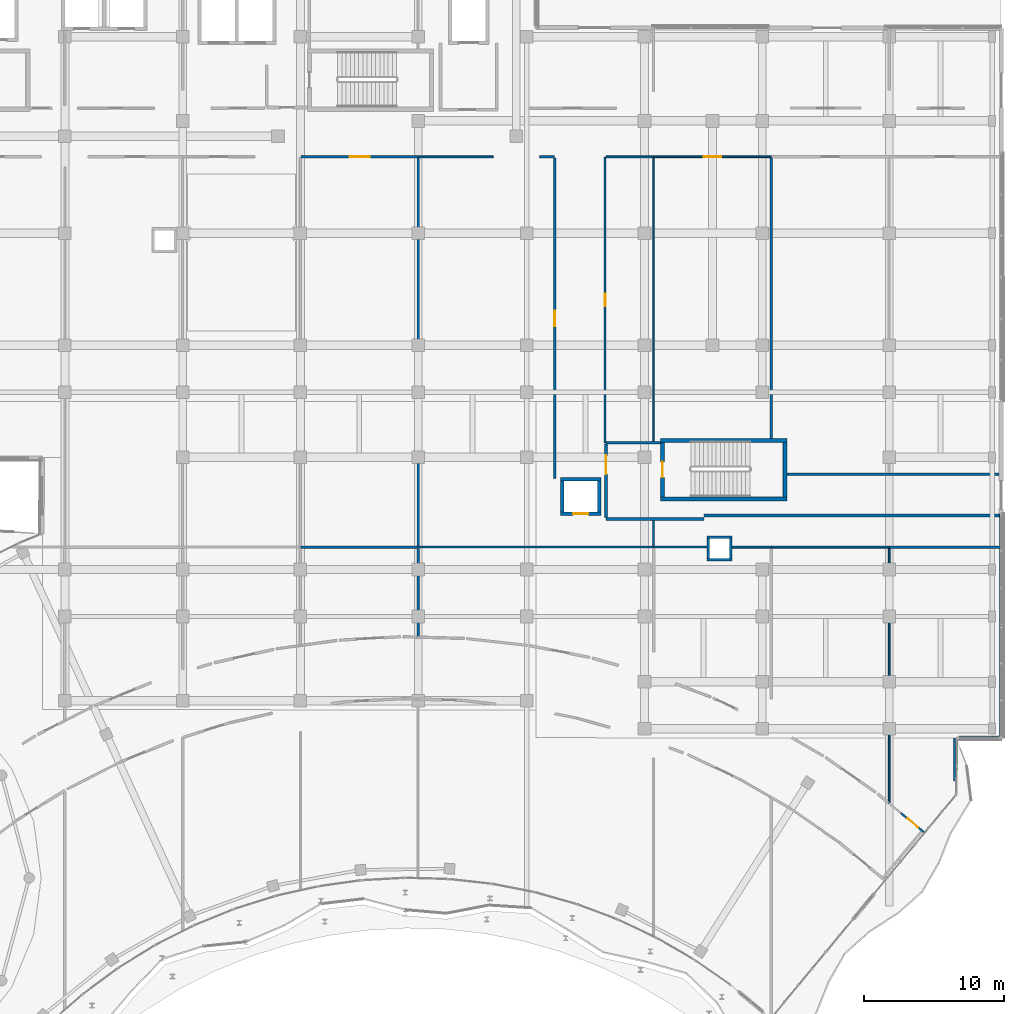
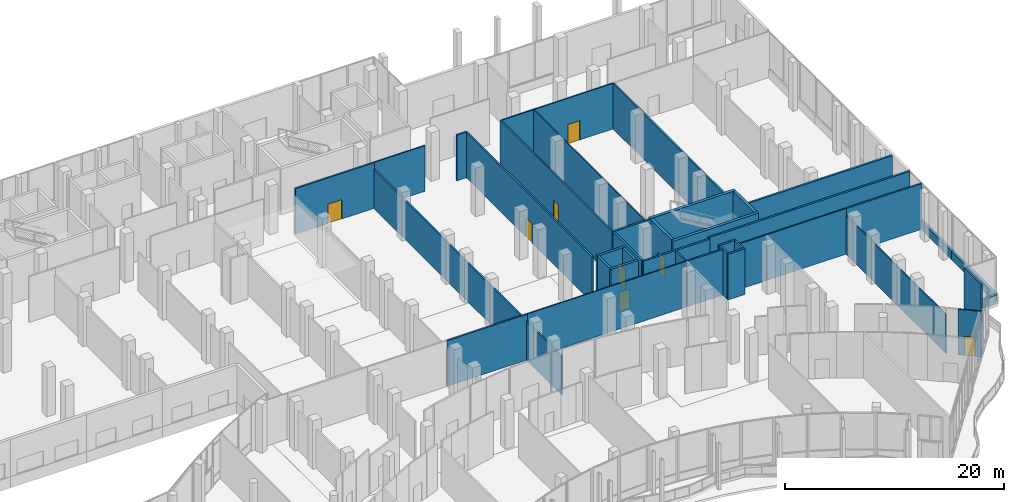
# One storey, part 144 of 158: 41 walls, 8 doors, 8 openings.
"""IFC4 building model written with IfcOpenShell, lengths in metres."""

from ifc_helpers import new_model, si_unit, direction, frame, frame_2d, origin, place, context, subcontext, project, spatial, rectangle, extrude, material, layer, layer_set, type_object, element, fill, save


model = new_model("IFC4")

# Units and contexts
model_context = context("Model", 3, precision=1e-05, world=origin(), true_north=direction((0.0, 1.0)))
body_context = subcontext(model_context, "Body", "Model", "MODEL_VIEW")
ifc_project = project(units=[si_unit("LENGTHUNIT", "METRE"), si_unit("AREAUNIT", "SQUARE_METRE"), si_unit("VOLUMEUNIT", "CUBIC_METRE"), si_unit("PLANEANGLEUNIT", "RADIAN"), si_unit("MASSUNIT", "GRAM", prefix="KILO")], contexts=[model_context])

# Site, building, storey
site_placement = place(None, origin())
site = spatial("IfcSite", under=ifc_project, at=site_placement, CompositionType="ELEMENT")
building_placement = place(site_placement, origin())
building = spatial("IfcBuilding", under=site, at=building_placement, Name="Selatvlak General Hospital", CompositionType="ELEMENT")
storey_placement = place(building_placement, origin())
storey = spatial("IfcBuildingStorey", under=building, at=storey_placement, Name="L00", CompositionType="ELEMENT", Elevation=0.0)

# Walls
ifc_material_1 = material(Name="Precast concrete C40/50 - white Bauhaus spandrel", Category="concrete")
ifc_layer_1 = layer(ifc_material_1, 0.280029296875, Name="Precast concrete C40/50 - white Bauhaus spandrel", Category="concrete")
ifc_layer_set_1 = layer_set([ifc_layer_1], Name="Precast concrete C40/50 - white Bauhaus spandrel")
wall_type_1 = type_object("IfcWallType", Name="WALL-EW-02", PredefinedType="SOLIDWALL", material=ifc_layer_set_1)
wall_1_placement = place(storey_placement, frame((182.0, 79.9990234375, 0.0), z_axis=(0.0, 0.0, 1.0), x_axis=(0.0, -1.0, 0.0)))
element("IfcWall", 1, at=wall_1_placement, inside=storey, type_object=wall_type_1, Name="L00 Bauhaus spandrel sill wall 0174", PredefinedType="SOLIDWALL", context=body_context, shape_type="SweptSolid", body=[
    extrude(rectangle(XDim=7.99609375, YDim=0.280029296875, at=frame_2d((3.998046875, 0.0))), origin(), (0.0, 0.0, 1.0), 0.93994140625),
])
wall_2_placement = place(storey_placement, frame((182.0, 71.9990234375, 0.0), z_axis=(0.0, 0.0, 1.0), x_axis=(0.0, -1.0, 0.0)))
element("IfcWall", 2, at=wall_2_placement, inside=storey, type_object=wall_type_1, Name="L00 Bauhaus spandrel sill wall 0175", PredefinedType="SOLIDWALL", context=body_context, shape_type="SweptSolid", body=[
    extrude(rectangle(XDim=7.85791015625, YDim=0.280029296875, at=frame_2d((3.928955078125, 0.0))), origin(), (0.0, 0.0, 1.0), 0.93994140625),
])
wall_3_placement = place(storey_placement, frame((181.860107421875, 64.0009765625, 0.0), z_axis=(0.0, 0.0, 1.0), x_axis=(-0.999999941708, -0.000341442575, 0.0)))
element("IfcWall", 3, at=wall_3_placement, inside=storey, type_object=wall_type_1, Name="L00 Bauhaus spandrel sill wall 0176", PredefinedType="SOLIDWALL", context=body_context, shape_type="SweptSolid", body=[
    extrude(rectangle(XDim=2.860107421875, YDim=0.280029296875, at=frame_2d((1.43017578125, 0.0))), origin(), (0.0, 0.0, 1.0), 0.93994140625),
])
ifc_material_2 = material(Name="Concrete C40/50", Category="concrete")
ifc_layer_2 = layer(ifc_material_2, 0.199951171875, Name="Concrete C40/50", Category="concrete")
ifc_layer_set_2 = layer_set([ifc_layer_2], Name="Concrete C40/50")
wall_type_2 = type_object("IfcWallType", Name="WALL-IW-02", PredefinedType="SOLIDWALL", material=ifc_layer_set_2)
wall_4_placement = place(storey_placement, frame((161.0, 76.699951171875, 0.0), z_axis=(0.0, 0.0, 1.0), x_axis=(1.0, 0.0, 0.0)))
element("IfcWall", 4, at=wall_4_placement, inside=storey, type_object=wall_type_2, Name="Service riser 4 shaft wall L00 S", PredefinedType="SOLIDWALL", context=body_context, shape_type="SweptSolid", body=[
    extrude(rectangle(XDim=1.800048828125, YDim=0.199951171875, at=frame_2d((0.89990234375, 0.0))), origin(), (0.0, 0.0, 1.0), 5.080078125),
])
wall_5_placement = place(storey_placement, frame((162.699951171875, 76.800048828125, 0.0), z_axis=(0.0, 0.0, 1.0), x_axis=(0.0, 1.0, 0.0)))
element("IfcWall", 5, at=wall_5_placement, inside=storey, type_object=wall_type_2, Name="Service riser 4 shaft wall L00 E", PredefinedType="SOLIDWALL", context=body_context, shape_type="SweptSolid", body=[
    extrude(rectangle(XDim=1.39990234375, YDim=0.199951171875, at=frame_2d((0.699951171875, 0.0))), origin(), (0.0, 0.0, 1.0), 5.080078125),
])
wall_6_placement = place(storey_placement, frame((162.800048828125, 78.300048828125, 0.0), z_axis=(0.0, 0.0, 1.0), x_axis=(-1.0, 0.0, 0.0)))
element("IfcWall", 6, at=wall_6_placement, inside=storey, type_object=wall_type_2, Name="Service riser 4 shaft wall L00 N", PredefinedType="SOLIDWALL", context=body_context, shape_type="SweptSolid", body=[
    extrude(rectangle(XDim=1.800048828125, YDim=0.199951171875, at=frame_2d((0.89990234375, 0.0))), origin(), (0.0, 0.0, 1.0), 5.080078125),
])
wall_7_placement = place(storey_placement, frame((161.10009765625, 78.199951171875, 0.0), z_axis=(0.0, 0.0, 1.0), x_axis=(0.0, -1.0, 0.0)))
element("IfcWall", 7, at=wall_7_placement, inside=storey, type_object=wall_type_2, Name="Service riser 4 shaft wall L00 W", PredefinedType="SOLIDWALL", context=body_context, shape_type="SweptSolid", body=[
    extrude(rectangle(XDim=1.39990234375, YDim=0.199951171875, at=frame_2d((0.699951171875, 0.0))), origin(), (0.0, 0.0, 1.0), 5.080078125),
])
wall_8_placement = place(storey_placement, frame((153.800048828125, 85.0400390625, 0.0), z_axis=(0.0, 0.0, 1.0), x_axis=(1.0, 0.0, 0.0)))
element("IfcWall", 8, at=wall_8_placement, inside=storey, type_object=wall_type_2, Name="L00 clinical partition PT-L00-0376", PredefinedType="SOLIDWALL", context=body_context, shape_type="SweptSolid", body=[
    extrude(rectangle(XDim=3.889892578125, YDim=0.199951171875, at=frame_2d((1.94482421875, 0.0))), origin(), (0.0, 0.0, 1.0), 5.080078125),
])
wall_9_placement = place(storey_placement, frame((166.70703125, 82.800048828125, 0.0), z_axis=(0.0, 0.0, 1.0), x_axis=(1.0, 0.0, 0.0)))
element("IfcWall", 9, at=wall_9_placement, inside=storey, type_object=wall_type_2, Name="L00 clinical partition PT-L00-0377", PredefinedType="SOLIDWALL", context=body_context, shape_type="SweptSolid", body=[
    extrude(rectangle(XDim=15.14599609375, YDim=0.199951171875, at=frame_2d((7.572998046875, 0.0))), origin(), (0.0, 0.0, 1.0), 5.080078125),
])
wall_10_placement = place(storey_placement, frame((181.9580078125, 79.85009765625, 0.0), z_axis=(0.0, 0.0, 1.0), x_axis=(-1.0, 0.0, 0.0)))
element("IfcWall", 10, at=wall_10_placement, inside=storey, type_object=wall_type_2, Name="L00 clinical partition PT-L00-0378", PredefinedType="SOLIDWALL", context=body_context, shape_type="SweptSolid", body=[
    extrude(rectangle(XDim=21.157958984375, YDim=0.199951171875, at=frame_2d((10.5791015625, 0.0))), origin(), (0.0, 0.0, 1.0), 5.080078125),
])
wall_11_placement = place(storey_placement, frame((160.800048828125, 79.60009765625, 0.0), z_axis=(0.0, 0.0, 1.0), x_axis=(-1.0, 0.0, 0.0)))
element("IfcWall", 11, at=wall_11_placement, inside=storey, type_object=wall_type_2, Name="L00 clinical partition PT-L00-0379", PredefinedType="SOLIDWALL", context=body_context, shape_type="SweptSolid", body=[
    extrude(rectangle(XDim=7.0, YDim=0.199951171875, at=frame_2d((3.5, 0.0))), origin(), (0.0, 0.0, 1.0), 5.080078125),
])

# Wall, opening, door
wall_12_placement = place(storey_placement, frame((153.800048828125, 79.696044921875, 0.0), z_axis=(0.0, 0.0, 1.0), x_axis=(0.0, 1.0, 0.0)))
wall_12 = element("IfcWall", 12, at=wall_12_placement, inside=storey, type_object=wall_type_2, Name="L00 clinical partition PT-L00-0380", PredefinedType="SOLIDWALL", context=body_context, shape_type="SweptSolid", body=[
    extrude(rectangle(XDim=5.248046875, YDim=0.199951171875, at=frame_2d((2.6240234375, 0.0))), origin(), (0.0, 0.0, 1.0), 5.080078125),
])
opening_1_placement = place(wall_12_placement, frame((3.10400390625, 0.0, 0.0)))
opening_1 = element("IfcOpeningElement", 13, at=opening_1_placement, cuts=wall_12, Name="Opening D-10", PredefinedType="OPENING", context=body_context, shape_type="SweptSolid", body=[
    extrude(rectangle(XDim=1.35009765625, YDim=2.14990234375, at=frame_2d((0.675048828125, 1.074951171875))), frame((0.0, 0.10986328125, 0.0), z_axis=(0.0, -1.0, 0.0), x_axis=(1.0, 0.0, 0.0)), (0.0, 0.0, 1.0), 0.219970703125),
])
ifc_material_3 = material(Name="Single patient bed door")
door_type_1 = type_object("IfcDoorType", Name="DOOR-D-10", OperationType="NOTDEFINED", PredefinedType="DOOR", material=ifc_material_3)
door_1_placement = place(opening_1_placement, origin())
door_1 = element("IfcDoor", 14, at=door_1_placement, inside=storey, type_object=door_type_1, Name="L00 Protected Exit Passageway ST-06 door", OperationType="SINGLE_SWING_LEFT", OverallHeight=2.14990234375, OverallWidth=1.35009765625, PredefinedType="DOOR", context=body_context, shape_type="SweptSolid", body=[
    extrude(rectangle(XDim=1.35009765625, YDim=2.14990234375, at=frame_2d((0.675048828125, 1.074951171875))), frame((0.0, 0.02490234375, 0.0), z_axis=(0.0, -1.0, 0.0), x_axis=(1.0, 0.0, 0.0)), (0.0, 0.0, 1.0), 0.050048828125),
])
fill(opening_1, door_1)

# Walls
ifc_material_4 = material(Name="Acoustic gypsum stud partition")
ifc_layer_3 = layer(ifc_material_4, 0.179931640625, Name="Acoustic gypsum stud partition")
ifc_layer_set_3 = layer_set([ifc_layer_3], Name="Acoustic gypsum stud partition")
wall_type_3 = type_object("IfcWallType", Name="WALL-PT-01", PredefinedType="PARTITIONING", material=ifc_layer_set_3)
wall_13_placement = place(storey_placement, frame((132.0, 77.60009765625, 0.0), z_axis=(0.0, 0.0, 1.0), x_axis=(1.0, 0.0, 0.0)))
element("IfcWall", 15, at=wall_13_placement, inside=storey, type_object=wall_type_3, Name="L00 clinical partition PT-L00-0567", PredefinedType="PARTITIONING", context=body_context, shape_type="SweptSolid", body=[
    extrude(rectangle(XDim=8.39990234375, YDim=0.179931640625, at=frame_2d((4.199951171875, 0.0))), origin(), (0.0, 0.0, 1.0), 5.080078125),
])
wall_14_placement = place(storey_placement, frame((174.0, 77.60009765625, 0.0), z_axis=(0.0, 0.0, 1.0), x_axis=(1.0, 0.0, 0.0)))
element("IfcWall", 16, at=wall_14_placement, inside=storey, type_object=wall_type_3, Name="L00 clinical partition PT-L00-0605", PredefinedType="PARTITIONING", context=body_context, shape_type="SweptSolid", body=[
    extrude(rectangle(XDim=7.9580078125, YDim=0.179931640625, at=frame_2d((3.97900390625, 0.0))), origin(), (0.0, 0.0, 1.0), 5.080078125),
])

# Wall, opening, door
wall_15_placement = place(storey_placement, frame((132.055908203125, 105.43994140625, 0.0), z_axis=(0.0, 0.0, 1.0), x_axis=(1.0, 0.0, 0.0)))
wall_15 = element("IfcWall", 17, at=wall_15_placement, inside=storey, type_object=wall_type_3, Name="L00 clinical partition PT-L00-0655", PredefinedType="PARTITIONING", context=body_context, shape_type="SweptSolid", body=[
    extrude(rectangle(XDim=8.343994140625, YDim=0.179931640625, at=frame_2d((4.171875, 0.0))), origin(), (0.0, 0.0, 1.0), 5.080078125),
])
opening_2_placement = place(wall_15_placement, frame((3.447021484375, 0.0, 0.0)))
opening_2 = element("IfcOpeningElement", 18, at=opening_2_placement, cuts=wall_15, Name="Opening D-12", PredefinedType="OPENING", context=body_context, shape_type="SweptSolid", body=[
    extrude(rectangle(XDim=1.449951171875, YDim=2.14990234375, at=frame_2d((0.72509765625, 1.074951171875))), frame((0.0, 0.099853515625, 0.0), z_axis=(0.0, -1.0, 0.0), x_axis=(1.0, 0.0, 0.0)), (0.0, 0.0, 1.0), 0.199951171875),
])
ifc_material_5 = material(Name="Isolation anteroom door")
door_type_2 = type_object("IfcDoorType", Name="DOOR-D-12", OperationType="NOTDEFINED", PredefinedType="DOOR", material=ifc_material_5)
door_2_placement = place(opening_2_placement, origin())
door_2 = element("IfcDoor", 19, at=door_2_placement, inside=storey, type_object=door_type_2, Name="L00 Patient Welfare Office 56 door", OperationType="SINGLE_SWING_LEFT", OverallHeight=2.14990234375, OverallWidth=1.449951171875, PredefinedType="DOOR", context=body_context, shape_type="SweptSolid", body=[
    extrude(rectangle(XDim=1.449951171875, YDim=2.14990234375, at=frame_2d((0.72509765625, 1.074951171875))), frame((0.0, 0.02490234375, 0.0), z_axis=(0.0, -1.0, 0.0), x_axis=(1.0, 0.0, 0.0)), (0.0, 0.0, 1.0), 0.050048828125),
])
fill(opening_2, door_2)

# Walls
wall_16_placement = place(storey_placement, frame((149.055908203125, 105.43994140625, 0.0), z_axis=(0.0, 0.0, 1.0), x_axis=(1.0, 0.0, 0.0)))
element("IfcWall", 20, at=wall_16_placement, inside=storey, type_object=wall_type_3, Name="L00 clinical partition PT-L00-0660", PredefinedType="PARTITIONING", context=body_context, shape_type="SweptSolid", body=[
    extrude(rectangle(XDim=1.083984375, YDim=0.179931640625, at=frame_2d((0.5419921875, 0.0))), origin(), (0.0, 0.0, 1.0), 5.080078125),
])
wall_17_placement = place(storey_placement, frame((165.60009765625, 105.384033203125, 0.0), z_axis=(0.0, 0.0, 1.0), x_axis=(0.0, -1.0, 0.0)))
element("IfcWall", 21, at=wall_17_placement, inside=storey, type_object=wall_type_3, Name="L00 clinical partition PT-L00-0665", PredefinedType="PARTITIONING", context=body_context, shape_type="SweptSolid", body=[
    extrude(rectangle(XDim=20.037109375, YDim=0.179931640625, at=frame_2d((10.0185546875, 0.0))), origin(), (0.0, 0.0, 1.0), 5.080078125),
])
ifc_layer_4 = layer(ifc_material_4, 0.1650390625, Name="Acoustic gypsum stud partition")
ifc_layer_set_4 = layer_set([ifc_layer_4], Name="Acoustic gypsum stud partition")
wall_type_4 = type_object("IfcWallType", Name="WALL-PT-02", PredefinedType="PARTITIONING", material=ifc_layer_set_4)
wall_18_placement = place(storey_placement, frame((140.39990234375, 77.513916015625, 0.0), z_axis=(0.0, 0.0, 1.0), x_axis=(0.0, -1.0, 0.0)))
element("IfcWall", 22, at=wall_18_placement, inside=storey, type_object=wall_type_4, Name="L00 clinical partition PT-L00-0568", PredefinedType="PARTITIONING", context=body_context, shape_type="SweptSolid", body=[
    extrude(rectangle(XDim=6.33984375, YDim=0.1650390625, at=frame_2d((3.169921875, 0.0))), origin(), (0.0, 0.0, 1.0), 4.330078125),
])
wall_19_placement = place(storey_placement, frame((157.199951171875, 77.60009765625, 0.0), z_axis=(0.0, 0.0, 1.0), x_axis=(1.0, 0.0, 0.0)))
element("IfcWall", 23, at=wall_19_placement, inside=storey, type_object=wall_type_4, Name="L00 clinical partition PT-L00-0589", PredefinedType="PARTITIONING", context=body_context, shape_type="SweptSolid", body=[
    extrude(rectangle(XDim=3.802978515625, YDim=0.1650390625, at=frame_2d((1.9013671875, 0.0))), origin(), (0.0, 0.0, 1.0), 5.080078125),
])
wall_20_placement = place(storey_placement, frame((178.659912109375, 63.97509765625, 0.0), z_axis=(0.0, 0.0, 1.0), x_axis=(0.0, -1.0, 0.0)))
element("IfcWall", 24, at=wall_20_placement, inside=storey, type_object=wall_type_4, Name="L00 clinical partition PT-L00-0601", PredefinedType="PARTITIONING", context=body_context, shape_type="SweptSolid", body=[
    extrude(rectangle(XDim=3.071044921875, YDim=0.1650390625, at=frame_2d((1.53564453125, 0.0))), origin(), (0.0, 0.0, 1.0), 5.080078125),
])
wall_21_placement = place(storey_placement, frame((140.39990234375, 105.35400390625, 0.0), z_axis=(0.0, 0.0, 1.0), x_axis=(0.0, -1.0, 0.0)))
element("IfcWall", 25, at=wall_21_placement, inside=storey, type_object=wall_type_4, Name="L00 clinical partition PT-L00-0656", PredefinedType="PARTITIONING", context=body_context, shape_type="SweptSolid", body=[
    extrude(rectangle(XDim=27.66796875, YDim=0.1650390625, at=frame_2d((13.833984375, 0.0))), origin(), (0.0, 0.0, 1.0), 4.330078125),
])

# Wall, opening, door
wall_22_placement = place(storey_placement, frame((150.139892578125, 105.35400390625, 0.0), z_axis=(0.0, 0.0, 1.0), x_axis=(0.0, -1.0, 0.0)))
wall_22 = element("IfcWall", 26, at=wall_22_placement, inside=storey, type_object=wall_type_4, Name="L00 clinical partition PT-L00-0661", PredefinedType="PARTITIONING", context=body_context, shape_type="SweptSolid", body=[
    extrude(rectangle(XDim=22.8740234375, YDim=0.1650390625, at=frame_2d((11.43701171875, 0.0))), origin(), (0.0, 0.0, 1.0), 5.080078125),
])
opening_3_placement = place(wall_22_placement, frame((10.886962890625, 0.0, 0.0)))
opening_3 = element("IfcOpeningElement", 27, at=opening_3_placement, cuts=wall_22, Name="Opening D-22", PredefinedType="OPENING", context=body_context, shape_type="SweptSolid", body=[
    extrude(rectangle(XDim=1.10009765625, YDim=2.14990234375, at=frame_2d((0.550048828125, 1.074951171875))), frame((0.0, 0.092529296875, 0.0), z_axis=(0.0, -1.0, 0.0), x_axis=(1.0, 0.0, 0.0)), (0.0, 0.0, 1.0), 0.18505859375),
])
ifc_material_6 = material(Name="Pharmacy security fire door")
door_type_3 = type_object("IfcDoorType", Name="DOOR-D-22", OperationType="NOTDEFINED", PredefinedType="DOOR", material=ifc_material_6)
door_3_placement = place(opening_3_placement, origin())
door_3 = element("IfcDoor", 28, at=door_3_placement, inside=storey, type_object=door_type_3, Name="L00 Public Dining Cafeteria 58 door", OperationType="SINGLE_SWING_LEFT", OverallHeight=2.14990234375, OverallWidth=1.10009765625, PredefinedType="DOOR", context=body_context, shape_type="SweptSolid", body=[
    extrude(rectangle(XDim=1.10009765625, YDim=2.14990234375, at=frame_2d((0.550048828125, 1.074951171875))), frame((0.0, 0.02490234375, 0.0), z_axis=(0.0, -1.0, 0.0), x_axis=(1.0, 0.0, 0.0)), (0.0, 0.0, 1.0), 0.050048828125),
])
fill(opening_3, door_3)

ifc_layer_5 = layer(ifc_material_4, 0.14990234375, Name="Acoustic gypsum stud partition")
ifc_layer_set_5 = layer_set([ifc_layer_5], Name="Acoustic gypsum stud partition")
wall_type_5 = type_object("IfcWallType", Name="WALL-PT-03", PredefinedType="PARTITIONING", material=ifc_layer_set_5)
wall_23_placement = place(storey_placement, frame((153.739990234375, 85.0400390625, 0.0), z_axis=(0.0, 0.0, 1.0), x_axis=(0.0, 1.0, 0.0)))
wall_23 = element("IfcWall", 29, at=wall_23_placement, inside=storey, type_object=wall_type_5, Name="L00 clinical partition PT-L00-0657", PredefinedType="PARTITIONING", context=body_context, shape_type="SweptSolid", body=[
    extrude(rectangle(XDim=20.39990234375, YDim=0.14990234375, at=frame_2d((10.199951171875, 0.0))), origin(), (0.0, 0.0, 1.0), 5.080078125),
])
opening_4_placement = place(wall_23_placement, frame((9.75, 0.0, 0.0)))
opening_4 = element("IfcOpeningElement", 30, at=opening_4_placement, cuts=wall_23, Name="Opening D-01", PredefinedType="OPENING", context=body_context, shape_type="SweptSolid", body=[
    extrude(rectangle(XDim=0.89990234375, YDim=2.10009765625, at=frame_2d((0.449951171875, 1.050048828125))), frame((0.0, 0.0849609375, 0.0), z_axis=(0.0, -1.0, 0.0), x_axis=(1.0, 0.0, 0.0)), (0.0, 0.0, 1.0), 0.169921875),
])
ifc_material_7 = material(Name="Hardwood clinical room door", Category="wood")
door_type_4 = type_object("IfcDoorType", Name="DOOR-D-01", OperationType="NOTDEFINED", PredefinedType="DOOR", material=ifc_material_7)
door_4_placement = place(opening_4_placement, origin())
door_4 = element("IfcDoor", 31, at=door_4_placement, inside=storey, type_object=door_type_4, Name="L00 Hospital Outpatient Pharmacy 57 door", OperationType="SINGLE_SWING_RIGHT", OverallHeight=2.10009765625, OverallWidth=0.89990234375, PredefinedType="DOOR", context=body_context, shape_type="SweptSolid", body=[
    extrude(rectangle(XDim=0.89990234375, YDim=2.10009765625, at=frame_2d((0.449951171875, 1.050048828125))), frame((0.0, 0.02490234375, 0.0), z_axis=(0.0, -1.0, 0.0), x_axis=(1.0, 0.0, 0.0)), (0.0, 0.0, 1.0), 0.050048828125),
])
fill(opening_4, door_4)

# Walls
wall_24_placement = place(storey_placement, frame((157.199951171875, 79.50390625, 0.0), z_axis=(0.0, 0.0, 1.0), x_axis=(0.0, -1.0, 0.0)))
element("IfcWall", 32, at=wall_24_placement, inside=storey, type_object=wall_type_5, Name="L00 clinical partition PT-L00-0662", PredefinedType="PARTITIONING", context=body_context, shape_type="SweptSolid", body=[
    extrude(rectangle(XDim=1.825927734375, YDim=0.14990234375, at=frame_2d((0.9130859375, 0.0))), origin(), (0.0, 0.0, 1.0), 5.080078125),
])
ifc_material_8 = material(Name="Moisture-resistant clinical partition")
ifc_layer_6 = layer(ifc_material_8, 0.135009765625, Name="Moisture-resistant clinical partition")
ifc_layer_set_6 = layer_set([ifc_layer_6], Name="Moisture-resistant clinical partition")
wall_type_6 = type_object("IfcWallType", Name="WALL-PT-04", PredefinedType="PARTITIONING", material=ifc_layer_set_6)
wall_25_placement = place(storey_placement, frame((162.797119140625, 77.60009765625, 0.0), z_axis=(0.0, 0.0, 1.0), x_axis=(1.0, 0.0, 0.0)))
element("IfcWall", 33, at=wall_25_placement, inside=storey, type_object=wall_type_6, Name="L00 clinical partition PT-L00-0590", PredefinedType="PARTITIONING", context=body_context, shape_type="SweptSolid", body=[
    extrude(rectangle(XDim=2.802978515625, YDim=0.135009765625, at=frame_2d((1.4013671875, 0.0))), origin(), (0.0, 0.0, 1.0), 5.080078125),
])
wall_26_placement = place(storey_placement, frame((165.60009765625, 77.60009765625, 0.0), z_axis=(0.0, 0.0, 1.0), x_axis=(1.0, 0.0, 0.0)))
element("IfcWall", 34, at=wall_26_placement, inside=storey, type_object=wall_type_6, Name="L00 clinical partition PT-L00-0598", PredefinedType="PARTITIONING", context=body_context, shape_type="SweptSolid", body=[
    extrude(rectangle(XDim=8.39990234375, YDim=0.135009765625, at=frame_2d((4.199951171875, 0.0))), origin(), (0.0, 0.0, 1.0), 5.080078125),
])

# Wall, opening, door
wall_27_placement = place(storey_placement, frame((176.530029296875, 57.22509765625, 0.0), z_axis=(0.0, 0.0, 1.0), x_axis=(-0.770533821636, 0.637399113362, 0.0)))
wall_27 = element("IfcWall", 35, at=wall_27_placement, inside=storey, type_object=wall_type_6, Name="L00 clinical partition PT-L00-0603", PredefinedType="PARTITIONING", context=body_context, shape_type="SweptSolid", body=[
    extrude(rectangle(XDim=2.193115234375, YDim=0.135009765625, at=frame_2d((1.0966796875, 0.0))), origin(), (0.0, 0.0, 1.0), 5.080078125),
])
opening_5_placement = place(wall_27_placement, frame((0.596923828125, 0.0, 0.0)))
opening_5 = element("IfcOpeningElement", 36, at=opening_5_placement, cuts=wall_27, Name="Opening D-21", PredefinedType="OPENING", context=body_context, shape_type="SweptSolid", body=[
    extrude(rectangle(XDim=1.0, YDim=2.14990234375, at=frame_2d((0.5, 1.074951171875))), frame((0.0, 0.077392578125, 0.0), z_axis=(0.0, -1.0, 0.0), x_axis=(1.0, 0.0, 0.0)), (0.0, 0.0, 1.0), 0.155029296875),
])
ifc_material_9 = material(Name="Laboratory fire door")
door_type_5 = type_object("IfcDoorType", Name="DOOR-D-21", OperationType="NOTDEFINED", PredefinedType="DOOR", material=ifc_material_9)
door_5_placement = place(opening_5_placement, origin())
door_5 = element("IfcDoor", 37, at=door_5_placement, inside=storey, type_object=door_type_5, Name="L00 Diagnostic Radiography Suite 40 door", OperationType="SINGLE_SWING_RIGHT", OverallHeight=2.14990234375, OverallWidth=1.0, PredefinedType="DOOR", context=body_context, shape_type="SweptSolid", body=[
    extrude(rectangle(XDim=1.0, YDim=2.14990234375, at=frame_2d((0.5, 1.074951171875))), frame((0.0, 0.02490234375, 0.0), z_axis=(0.0, -1.0, 0.0), x_axis=(1.0, 0.0, 0.0)), (0.0, 0.0, 1.0), 0.050048828125),
])
fill(opening_5, door_5)

# Walls
wall_28_placement = place(storey_placement, frame((153.81103515625, 105.43994140625, 0.0), z_axis=(0.0, 0.0, 1.0), x_axis=(1.0, 0.0, 0.0)))
element("IfcWall", 38, at=wall_28_placement, inside=storey, type_object=wall_type_6, Name="L00 clinical partition PT-L00-0658", PredefinedType="PARTITIONING", context=body_context, shape_type="SweptSolid", body=[
    extrude(rectangle(XDim=3.388916015625, YDim=0.135009765625, at=frame_2d((1.6943359375, 0.0))), origin(), (0.0, 0.0, 1.0), 5.080078125),
])
wall_29_placement = place(storey_placement, frame((140.39990234375, 105.43994140625, 0.0), z_axis=(0.0, 0.0, 1.0), x_axis=(1.0, 0.0, 0.0)))
element("IfcWall", 39, at=wall_29_placement, inside=storey, type_object=wall_type_6, Name="L00 clinical partition PT-L00-0663", PredefinedType="PARTITIONING", context=body_context, shape_type="SweptSolid", body=[
    extrude(rectangle(XDim=5.343994140625, YDim=0.135009765625, at=frame_2d((2.671875, 0.0))), origin(), (0.0, 0.0, 1.0), 5.080078125),
])
ifc_layer_7 = layer(ifc_material_8, 0.1201171875, Name="Moisture-resistant clinical partition")
ifc_layer_set_7 = layer_set([ifc_layer_7], Name="Moisture-resistant clinical partition")
wall_type_7 = type_object("IfcWallType", Name="WALL-PT-05", PredefinedType="PARTITIONING", material=ifc_layer_set_7)
wall_30_placement = place(storey_placement, frame((140.39990234375, 77.60009765625, 0.0), z_axis=(0.0, 0.0, 1.0), x_axis=(1.0, 0.0, 0.0)))
element("IfcWall", 40, at=wall_30_placement, inside=storey, type_object=wall_type_7, Name="L00 clinical partition PT-L00-0579", PredefinedType="PARTITIONING", context=body_context, shape_type="SweptSolid", body=[
    extrude(rectangle(XDim=16.800048828125, YDim=0.1201171875, at=frame_2d((8.39990234375, 0.0))), origin(), (0.0, 0.0, 1.0), 5.080078125),
])
wall_31_placement = place(storey_placement, frame((174.0, 77.535888671875, 0.0), z_axis=(0.0, 0.0, 1.0), x_axis=(0.0, -1.0, 0.0)))
element("IfcWall", 41, at=wall_31_placement, inside=storey, type_object=wall_type_7, Name="L00 clinical partition PT-L00-0599", PredefinedType="PARTITIONING", context=body_context, shape_type="SweptSolid", body=[
    extrude(rectangle(XDim=18.216796875, YDim=0.1201171875, at=frame_2d((9.1083984375, 0.0))), origin(), (0.0, 0.0, 1.0), 4.330078125),
])
wall_32_placement = place(storey_placement, frame((157.199951171875, 105.3759765625, 0.0), z_axis=(0.0, 0.0, 1.0), x_axis=(0.0, -1.0, 0.0)))
element("IfcWall", 42, at=wall_32_placement, inside=storey, type_object=wall_type_7, Name="L00 clinical partition PT-L00-0659", PredefinedType="PARTITIONING", context=body_context, shape_type="SweptSolid", body=[
    extrude(rectangle(XDim=20.239990234375, YDim=0.1201171875, at=frame_2d((10.1201171875, 0.0))), origin(), (0.0, 0.0, 1.0), 5.080078125),
])

# Wall, opening, door
wall_33_placement = place(storey_placement, frame((157.199951171875, 105.43994140625, 0.0), z_axis=(0.0, 0.0, 1.0), x_axis=(1.0, 0.0, 0.0)))
wall_33 = element("IfcWall", 43, at=wall_33_placement, inside=storey, type_object=wall_type_7, Name="L00 clinical partition PT-L00-0664", PredefinedType="PARTITIONING", context=body_context, shape_type="SweptSolid", body=[
    extrude(rectangle(XDim=8.400146484375, YDim=0.1201171875, at=frame_2d((4.2001953125, 0.0))), origin(), (0.0, 0.0, 1.0), 5.080078125),
])
opening_6_placement = place(wall_33_placement, frame((3.574951171875, 0.0, 0.0)))
opening_6 = element("IfcOpeningElement", 44, at=opening_6_placement, cuts=wall_33, Name="Opening D-08", PredefinedType="OPENING", context=body_context, shape_type="SweptSolid", body=[
    extrude(rectangle(XDim=1.25, YDim=2.14990234375, at=frame_2d((0.625, 1.074951171875))), frame((0.0, 0.070068359375, 0.0), z_axis=(0.0, -1.0, 0.0), x_axis=(1.0, 0.0, 0.0)), (0.0, 0.0, 1.0), 0.14013671875),
])
ifc_material_10 = material(Name="Diagnostic treatment door")
door_type_6 = type_object("IfcDoorType", Name="DOOR-D-08", OperationType="NOTDEFINED", PredefinedType="DOOR", material=ifc_material_10)
door_6_placement = place(opening_6_placement, origin())
door_6 = element("IfcDoor", 45, at=door_6_placement, inside=storey, type_object=door_type_6, Name="L00 Admissions Registration Suite 59 door", OperationType="SINGLE_SWING_RIGHT", OverallHeight=2.14990234375, OverallWidth=1.25, PredefinedType="DOOR", context=body_context, shape_type="SweptSolid", body=[
    extrude(rectangle(XDim=1.25, YDim=2.14990234375, at=frame_2d((0.625, 1.074951171875))), frame((0.0, 0.02490234375, 0.0), z_axis=(0.0, -1.0, 0.0), x_axis=(1.0, 0.0, 0.0)), (0.0, 0.0, 1.0), 0.050048828125),
])
fill(opening_6, door_6)

# Walls
ifc_material_11 = material(Name="Concrete C45/55", Category="concrete")
ifc_layer_8 = layer(ifc_material_11, 0.300048828125, Name="Concrete C45/55", Category="concrete")
ifc_layer_set_8 = layer_set([ifc_layer_8], Name="Concrete C45/55")
wall_type_8 = type_object("IfcWallType", Name="WALL-SW-02", PredefinedType="SHEAR", material=ifc_layer_set_8)
wall_34_placement = place(storey_placement, frame((157.68994140625, 81.0400390625, 0.0), z_axis=(0.0, 0.0, 1.0), x_axis=(1.0, 0.0, 0.0)))
element("IfcWall", 46, at=wall_34_placement, inside=storey, type_object=wall_type_8, Name="ST-06 core shear wall L00 S", PredefinedType="SHEAR", context=body_context, shape_type="SweptSolid", body=[
    extrude(rectangle(XDim=9.02001953125, YDim=0.300048828125, at=frame_2d((4.510009765625, 0.0))), origin(), (0.0, 0.0, 1.0), 5.080078125),
])
wall_35_placement = place(storey_placement, frame((166.56005859375, 81.18994140625, 0.0), z_axis=(0.0, 0.0, 1.0), x_axis=(0.0, 1.0, 0.0)))
element("IfcWall", 47, at=wall_35_placement, inside=storey, type_object=wall_type_8, Name="ST-06 core shear wall L00 E", PredefinedType="SHEAR", context=body_context, shape_type="SweptSolid", body=[
    extrude(rectangle(XDim=3.860107421875, YDim=0.300048828125, at=frame_2d((1.93017578125, 0.0))), origin(), (0.0, 0.0, 1.0), 5.080078125),
])
wall_36_placement = place(storey_placement, frame((166.7099609375, 85.199951171875, 0.0), z_axis=(0.0, 0.0, 1.0), x_axis=(-1.0, 0.0, 0.0)))
element("IfcWall", 48, at=wall_36_placement, inside=storey, type_object=wall_type_8, Name="ST-06 core shear wall L00 N", PredefinedType="SHEAR", context=body_context, shape_type="SweptSolid", body=[
    extrude(rectangle(XDim=9.02001953125, YDim=0.300048828125, at=frame_2d((4.510009765625, 0.0))), origin(), (0.0, 0.0, 1.0), 5.080078125),
])

# Wall, opening, door
wall_37_placement = place(storey_placement, frame((157.840087890625, 85.050048828125, 0.0), z_axis=(0.0, 0.0, 1.0), x_axis=(0.0, -1.0, 0.0)))
wall_37 = element("IfcWall", 49, at=wall_37_placement, inside=storey, type_object=wall_type_8, Name="ST-06 core shear wall L00 W", PredefinedType="SHEAR", context=body_context, shape_type="SweptSolid", body=[
    extrude(rectangle(XDim=3.860107421875, YDim=0.300048828125, at=frame_2d((1.93017578125, 0.0))), origin(), (0.0, 0.0, 1.0), 5.080078125),
])
opening_7_placement = place(wall_37_placement, frame((1.3798828125, 0.0, 0.0)))
opening_7 = element("IfcOpeningElement", 50, at=opening_7_placement, cuts=wall_37, Name="Opening D-05", PredefinedType="OPENING", context=body_context, shape_type="SweptSolid", body=[
    extrude(rectangle(XDim=1.10009765625, YDim=2.14990234375, at=frame_2d((0.550048828125, 1.074951171875))), frame((0.0, 0.159912109375, 0.0), z_axis=(0.0, -1.0, 0.0), x_axis=(1.0, 0.0, 0.0)), (0.0, 0.0, 1.0), 0.320068359375),
])
ifc_material_12 = material(Name="Protected stair fire door")
door_type_7 = type_object("IfcDoorType", Name="DOOR-D-05", OperationType="NOTDEFINED", PredefinedType="DOOR", material=ifc_material_12)
door_7_placement = place(opening_7_placement, origin())
door_7 = element("IfcDoor", 51, at=door_7_placement, inside=storey, type_object=door_type_7, Name="ST-06 protected stair door on L00", OperationType="SINGLE_SWING_RIGHT", OverallHeight=2.14990234375, OverallWidth=1.10009765625, PredefinedType="DOOR", context=body_context, shape_type="SweptSolid", body=[
    extrude(rectangle(XDim=1.10009765625, YDim=2.14990234375, at=frame_2d((0.550048828125, 1.074951171875))), frame((0.0, 0.02490234375, 0.0), z_axis=(0.0, -1.0, 0.0), x_axis=(1.0, 0.0, 0.0)), (0.0, 0.0, 1.0), 0.050048828125),
])
fill(opening_7, door_7)

ifc_layer_9 = layer(ifc_material_2, 0.25, Name="Concrete C40/50", Category="concrete")
ifc_layer_set_9 = layer_set([ifc_layer_9], Name="Concrete C40/50")
wall_type_9 = type_object("IfcWallType", Name="WALL-SW-03", PredefinedType="SHEAR", material=ifc_layer_set_9)
wall_38_placement = place(storey_placement, frame((150.550048828125, 79.97509765625, 0.0), z_axis=(0.0, 0.0, 1.0), x_axis=(1.0, 0.0, 0.0)))
wall_38 = element("IfcWall", 52, at=wall_38_placement, inside=storey, type_object=wall_type_9, Name="Lift LP-04 shaft wall L00 S", PredefinedType="SHEAR", context=body_context, shape_type="SweptSolid", body=[
    extrude(rectangle(XDim=2.89990234375, YDim=0.25, at=frame_2d((1.449951171875, 0.0))), origin(), (0.0, 0.0, 1.0), 5.080078125),
])
opening_8_placement = place(wall_38_placement, frame((0.89990234375, 0.0, 0.0)))
opening_8 = element("IfcOpeningElement", 53, at=opening_8_placement, cuts=wall_38, Name="Opening LD-P1", PredefinedType="OPENING", context=body_context, shape_type="SweptSolid", body=[
    extrude(rectangle(XDim=1.10009765625, YDim=2.14990234375, at=frame_2d((0.550048828125, 1.074951171875))), frame((0.0, 0.135009765625, 0.0), z_axis=(0.0, -1.0, 0.0), x_axis=(1.0, 0.0, 0.0)), (0.0, 0.0, 1.0), 0.27001953125),
])
ifc_material_13 = material(Name="Stainless steel passenger lift landing door", Category="steel")
door_type_8 = type_object("IfcDoorType", Name="DOOR-LD-P1", OperationType="DOUBLE_DOOR_SLIDING", PredefinedType="DOOR", material=ifc_material_13)
door_8_placement = place(opening_8_placement, origin())
door_8 = element("IfcDoor", 54, at=door_8_placement, inside=storey, type_object=door_type_8, Name="Lift LP-04 sliding landing door on L00", OperationType="DOUBLE_DOOR_SLIDING", OverallHeight=2.14990234375, OverallWidth=1.10009765625, PredefinedType="DOOR", context=body_context, shape_type="SweptSolid", body=[
    extrude(rectangle(XDim=1.10009765625, YDim=2.14990234375, at=frame_2d((0.550048828125, 1.074951171875))), frame((0.0, 0.02490234375, 0.0), z_axis=(0.0, -1.0, 0.0), x_axis=(1.0, 0.0, 0.0)), (0.0, 0.0, 1.0), 0.050048828125),
])
fill(opening_8, door_8)

# Walls
wall_39_placement = place(storey_placement, frame((153.324951171875, 80.10009765625, 0.0), z_axis=(0.0, 0.0, 1.0), x_axis=(0.0, 1.0, 0.0)))
element("IfcWall", 55, at=wall_39_placement, inside=storey, type_object=wall_type_9, Name="Lift LP-04 shaft wall L00 E", PredefinedType="SHEAR", context=body_context, shape_type="SweptSolid", body=[
    extrude(rectangle(XDim=2.199951171875, YDim=0.25, at=frame_2d((1.10009765625, 0.0))), origin(), (0.0, 0.0, 1.0), 5.080078125),
])
wall_40_placement = place(storey_placement, frame((153.449951171875, 82.425048828125, 0.0), z_axis=(0.0, 0.0, 1.0), x_axis=(-1.0, 0.0, 0.0)))
element("IfcWall", 56, at=wall_40_placement, inside=storey, type_object=wall_type_9, Name="Lift LP-04 shaft wall L00 N", PredefinedType="SHEAR", context=body_context, shape_type="SweptSolid", body=[
    extrude(rectangle(XDim=2.89990234375, YDim=0.25, at=frame_2d((1.449951171875, 0.0))), origin(), (0.0, 0.0, 1.0), 5.080078125),
])
wall_41_placement = place(storey_placement, frame((150.675048828125, 82.300048828125, 0.0), z_axis=(0.0, 0.0, 1.0), x_axis=(0.0, -1.0, 0.0)))
element("IfcWall", 57, at=wall_41_placement, inside=storey, type_object=wall_type_9, Name="Lift LP-04 shaft wall L00 W", PredefinedType="SHEAR", context=body_context, shape_type="SweptSolid", body=[
    extrude(rectangle(XDim=2.199951171875, YDim=0.25, at=frame_2d((1.10009765625, 0.0))), origin(), (0.0, 0.0, 1.0), 5.080078125),
])

save(model, "model.ifc")
